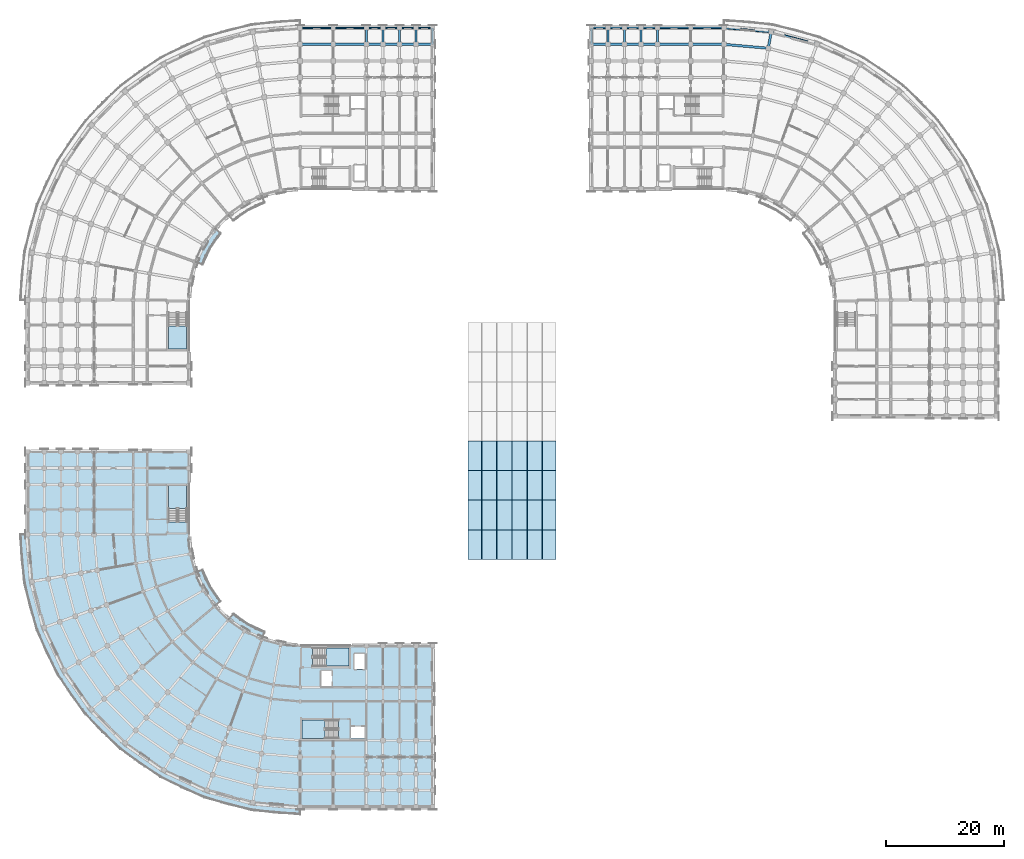
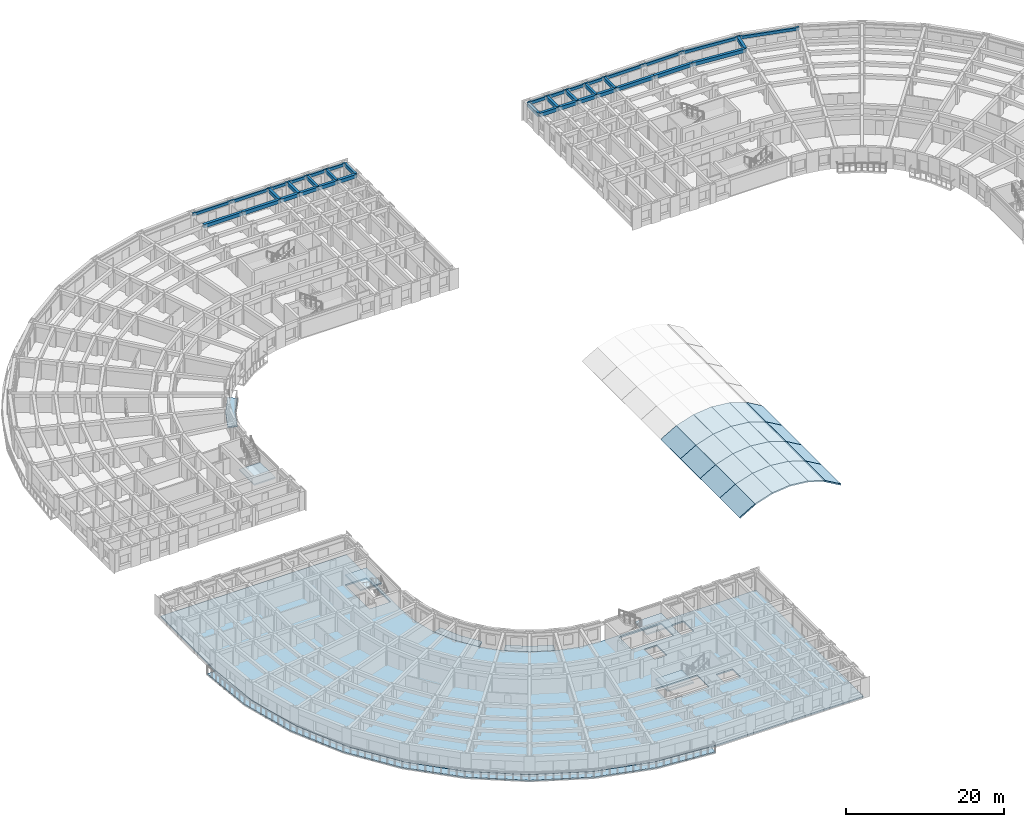
# One storey, part 13 of 54: 38 beams, 33 slabs, 4 elements without a shape of their own.
"""IFC4 building model written with IfcOpenShell, lengths in metres."""

from ifc_helpers import new_model, si_unit, direction, frame, origin, origin_2d, place, context, subcontext, project, spatial, polyline, rectangle, outline, extrude, material, layer, layer_set, material_profile, profile_set, type_object, element, aggregate, save


model = new_model("IFC4")

# Units and contexts
model_context = context("Model", 3, precision=1e-05, world=origin(), true_north=direction((0.0, 1.0)))
body_context = subcontext(model_context, "Body", "Model", "MODEL_VIEW")
ifc_project = project(units=[si_unit("LENGTHUNIT", "METRE"), si_unit("AREAUNIT", "SQUARE_METRE"), si_unit("VOLUMEUNIT", "CUBIC_METRE"), si_unit("PLANEANGLEUNIT", "RADIAN"), si_unit("MASSUNIT", "GRAM", prefix="KILO")], contexts=[model_context])

# Site, building, storey
site_placement = place(None, origin())
site = spatial("IfcSite", under=ifc_project, at=site_placement, CompositionType="ELEMENT")
building_placement = place(site_placement, origin())
building = spatial("IfcBuilding", under=site, at=building_placement, Name="Kiranvali Square Residences", CompositionType="ELEMENT")
storey_placement = place(building_placement, frame((0.0, 0.0, 15.0)))
storey = spatial("IfcBuildingStorey", under=building, at=storey_placement, Name="L04", CompositionType="ELEMENT", Elevation=15.0)

# Beams
ifc_material_1 = material(Name="Concrete M40 (40 MPa)", Category="concrete")
ifc_material_profile_1 = material_profile(ifc_material_1, rectangle(XDim=0.35009765625, YDim=0.550048828125, at=origin_2d()), Name="RC 350x550")
ifc_profile_set_1 = profile_set([ifc_material_profile_1], Name="Concrete M40 (40 MPa)")
beam_type_1 = type_object("IfcBeamType", Name="BM-M40-350x550", PredefinedType="BEAM", material=ifc_profile_set_1)
for number, where, z_axis, x_axis, name in (
    (1, (59.39990234375, 131.0, 2.655029296875), (0.0, 1.0, 0.0), (-1.0, 0.0, 0.0), "L04 beam BM-A-L04-A1T1-67"),
    (2, (62.199951171875, 131.0, 2.655029296875), (0.0, 1.0, 0.0), (-1.0, 0.0, 0.0), "L04 beam BM-A-L04-A1T2-67"),
    (3, (65.0, 131.0, 2.655029296875), (0.0, 1.0, 0.0), (-1.0, 0.0, 0.0), "L04 beam BM-A-L04-A1T3-67"),
    (4, (67.800048828125, 131.0, 2.655029296875), (0.0, 1.0, 0.0), (-1.0, 0.0, 0.0), "L04 beam BM-A-L04-A1T4-67"),
    (5, (70.60009765625, 131.0, 2.655029296875), (0.0, 1.0, 0.0), (-1.0, 0.0, 0.0), "L04 beam BM-A-L04-A1T5-67"),
    (6, (108.60009765625, 131.0, 2.655029296875), (0.0, 1.0, 0.0), (-1.0, 0.0, 0.0), "L04 beam BM-B-L04-A1T1-67"),
    (7, (105.800048828125, 131.0, 2.655029296875), (0.0, 1.0, 0.0), (-1.0, 0.0, 0.0), "L04 beam BM-B-L04-A1T2-67"),
    (8, (103.0, 131.0, 2.655029296875), (0.0, 1.0, 0.0), (-1.0, 0.0, 0.0), "L04 beam BM-B-L04-A1T3-67"),
    (9, (100.199951171875, 131.0, 2.655029296875), (0.0, 1.0, 0.0), (-1.0, 0.0, 0.0), "L04 beam BM-B-L04-A1T4-67"),
    (10, (97.39990234375, 131.0, 2.655029296875), (0.0, 1.0, 0.0), (-1.0, 0.0, 0.0), "L04 beam BM-B-L04-A1T5-67"),
):
    element("IfcBeam", number, at=place(storey_placement, frame(where, z_axis=z_axis, x_axis=x_axis)), inside=storey, type_object=beam_type_1, Name=name, PredefinedType="BEAM", context=body_context, shape_type="SweptSolid", body=[
        extrude(rectangle(XDim=0.35009765625, YDim=0.550048828125, at=origin_2d()), origin(), (0.0, 0.0, 1.0), 2.800048828125),
    ])
ifc_material_2 = material(Name="Concrete M45 (45 MPa)", Category="concrete")
ifc_material_profile_2 = material_profile(ifc_material_2, rectangle(XDim=0.39990234375, YDim=0.550048828125, at=origin_2d()), Name="RC 400x550")
ifc_profile_set_2 = profile_set([ifc_material_profile_2], Name="Concrete M45 (45 MPa)")
beam_type_2 = type_object("IfcBeamType", Name="BM-M45-400x550", PredefinedType="BEAM", material=ifc_profile_set_2)
beam_1_placement = place(storey_placement, frame((48.199951171875, 131.0, 2.655029296875), z_axis=(1.0, 0.0, 0.0), x_axis=(0.0, 1.0, 0.0)))
element("IfcBeam", 11, at=beam_1_placement, inside=storey, type_object=beam_type_2, Name="L04 beam BM-A-L04-A1U0-R6", PredefinedType="BEAM", context=body_context, shape_type="SweptSolid", body=[
    extrude(rectangle(XDim=0.39990234375, YDim=0.550048828125, at=origin_2d()), origin(), (0.0, 0.0, 1.0), 5.60009765625),
])
beam_2_placement = place(storey_placement, frame((53.800048828125, 131.0, 2.655029296875), z_axis=(1.0, 0.0, 0.0), x_axis=(0.0, 1.0, 0.0)))
element("IfcBeam", 12, at=beam_2_placement, inside=storey, type_object=beam_type_2, Name="L04 beam BM-A-L04-A1U1-R6", PredefinedType="BEAM", context=body_context, shape_type="SweptSolid", body=[
    extrude(rectangle(XDim=0.39990234375, YDim=0.550048828125, at=origin_2d()), origin(), (0.0, 0.0, 1.0), 5.599853515625),
])
for number, where, z_axis, x_axis, name in (
    (13, (59.39990234375, 131.0, 2.655029296875), (1.0, 0.0, 0.0), (0.0, 1.0, 0.0), "L04 beam BM-A-L04-A1U2-R6"),
    (14, (62.199951171875, 131.0, 2.655029296875), (1.0, 0.0, 0.0), (0.0, 1.0, 0.0), "L04 beam BM-A-L04-A1U3-R6"),
    (15, (65.0, 131.0, 2.655029296875), (1.0, 0.0, 0.0), (0.0, 1.0, 0.0), "L04 beam BM-A-L04-A1U4-R6"),
    (16, (67.800048828125, 131.0, 2.655029296875), (1.0, 0.0, 0.0), (0.0, 1.0, 0.0), "L04 beam BM-A-L04-A1U5-R6"),
):
    element("IfcBeam", number, at=place(storey_placement, frame(where, z_axis=z_axis, x_axis=x_axis)), inside=storey, type_object=beam_type_2, Name=name, PredefinedType="BEAM", context=body_context, shape_type="SweptSolid", body=[
        extrude(rectangle(XDim=0.39990234375, YDim=0.550048828125, at=origin_2d()), origin(), (0.0, 0.0, 1.0), 2.800048828125),
    ])
beam_3_placement = place(storey_placement, frame((119.800048828125, 131.0, 2.655029296875), z_axis=(0.996195195417, -0.087150058103, 0.0), x_axis=(0.087150058103, 0.996195195417, 0.0)))
element("IfcBeam", 17, at=beam_3_placement, inside=storey, type_object=beam_type_2, Name="L04 beam BM-B-L04-C00-R6", PredefinedType="BEAM", context=body_context, shape_type="SweptSolid", body=[
    extrude(rectangle(XDim=0.39990234375, YDim=0.550048828125, at=origin_2d()), origin(), (0.0, 0.0, 1.0), 7.530029296875),
])
beam_4_placement = place(storey_placement, frame((127.301513671875, 130.34375, 2.655029296875), z_axis=(0.173695795656, 0.984799355489, 0.0), x_axis=(-0.984799355489, 0.173695795656, 0.0)))
element("IfcBeam", 18, at=beam_4_placement, inside=storey, type_object=beam_type_2, Name="L04 beam BM-B-L04-RAD01-67", PredefinedType="BEAM", context=body_context, shape_type="SweptSolid", body=[
    extrude(rectangle(XDim=0.39990234375, YDim=0.550048828125, at=origin_2d()), origin(), (0.0, 0.0, 1.0), 2.7998046875),
])
beam_5_placement = place(storey_placement, frame((119.800048828125, 131.0, 2.655029296875), z_axis=(-1.0, 0.0, 0.0), x_axis=(0.0, -1.0, 0.0)))
element("IfcBeam", 19, at=beam_5_placement, inside=storey, type_object=beam_type_2, Name="L04 beam BM-B-L04-A1U0-R6", PredefinedType="BEAM", context=body_context, shape_type="SweptSolid", body=[
    extrude(rectangle(XDim=0.39990234375, YDim=0.550048828125, at=origin_2d()), origin(), (0.0, 0.0, 1.0), 5.60009765625),
])
beam_6_placement = place(storey_placement, frame((114.199951171875, 131.0, 2.655029296875), z_axis=(-1.0, 0.0, 0.0), x_axis=(0.0, -1.0, 0.0)))
element("IfcBeam", 20, at=beam_6_placement, inside=storey, type_object=beam_type_2, Name="L04 beam BM-B-L04-A1U1-R6", PredefinedType="BEAM", context=body_context, shape_type="SweptSolid", body=[
    extrude(rectangle(XDim=0.39990234375, YDim=0.550048828125, at=origin_2d()), origin(), (0.0, 0.0, 1.0), 5.599853515625),
])
for number, where, z_axis, x_axis, name in (
    (21, (108.60009765625, 131.0, 2.655029296875), (-1.0, 0.0, 0.0), (0.0, -1.0, 0.0), "L04 beam BM-B-L04-A1U2-R6"),
    (22, (105.800048828125, 131.0, 2.655029296875), (-1.0, 0.0, 0.0), (0.0, -1.0, 0.0), "L04 beam BM-B-L04-A1U3-R6"),
    (23, (103.0, 131.0, 2.655029296875), (-1.0, 0.0, 0.0), (0.0, -1.0, 0.0), "L04 beam BM-B-L04-A1U4-R6"),
    (24, (100.199951171875, 131.0, 2.655029296875), (-1.0, 0.0, 0.0), (0.0, -1.0, 0.0), "L04 beam BM-B-L04-A1U5-R6"),
):
    element("IfcBeam", number, at=place(storey_placement, frame(where, z_axis=z_axis, x_axis=x_axis)), inside=storey, type_object=beam_type_2, Name=name, PredefinedType="BEAM", context=body_context, shape_type="SweptSolid", body=[
        extrude(rectangle(XDim=0.39990234375, YDim=0.550048828125, at=origin_2d()), origin(), (0.0, 0.0, 1.0), 2.800048828125),
    ])
ifc_material_profile_3 = material_profile(ifc_material_1, rectangle(XDim=0.25, YDim=0.449951171875, at=origin_2d()), Name="RC 250x450")
ifc_profile_set_3 = profile_set([ifc_material_profile_3], Name="Concrete M40 (40 MPa)")
beam_type_3 = type_object("IfcBeamType", Name="SPN-M40-250x450", PredefinedType="SPANDREL", material=ifc_profile_set_3)
beam_7_placement = place(storey_placement, frame((48.199951171875, 133.800048828125, 2.705078125), z_axis=(1.0, 0.0, 0.0), x_axis=(0.0, 1.0, 0.0)))
element("IfcBeam", 25, at=beam_7_placement, inside=storey, type_object=beam_type_3, Name="L04 beam BM-A-L04-A1U0-R7", PredefinedType="SPANDREL", context=body_context, shape_type="SweptSolid", body=[
    extrude(rectangle(XDim=0.25, YDim=0.449951171875, at=origin_2d()), origin(), (0.0, 0.0, 1.0), 5.60009765625),
])
beam_8_placement = place(storey_placement, frame((53.800048828125, 133.800048828125, 2.705078125), z_axis=(1.0, 0.0, 0.0), x_axis=(0.0, 1.0, 0.0)))
element("IfcBeam", 26, at=beam_8_placement, inside=storey, type_object=beam_type_3, Name="L04 beam BM-A-L04-A1U1-R7", PredefinedType="SPANDREL", context=body_context, shape_type="SweptSolid", body=[
    extrude(rectangle(XDim=0.25, YDim=0.449951171875, at=origin_2d()), origin(), (0.0, 0.0, 1.0), 5.599853515625),
])
for number, where, z_axis, x_axis, name in (
    (27, (59.39990234375, 133.800048828125, 2.705078125), (1.0, 0.0, 0.0), (0.0, 1.0, 0.0), "L04 beam BM-A-L04-A1U2-R7"),
    (28, (62.199951171875, 133.800048828125, 2.705078125), (1.0, 0.0, 0.0), (0.0, 1.0, 0.0), "L04 beam BM-A-L04-A1U3-R7"),
    (29, (65.0, 133.800048828125, 2.705078125), (1.0, 0.0, 0.0), (0.0, 1.0, 0.0), "L04 beam BM-A-L04-A1U4-R7"),
    (30, (67.800048828125, 133.800048828125, 2.705078125), (1.0, 0.0, 0.0), (0.0, 1.0, 0.0), "L04 beam BM-A-L04-A1U5-R7"),
):
    element("IfcBeam", number, at=place(storey_placement, frame(where, z_axis=z_axis, x_axis=x_axis)), inside=storey, type_object=beam_type_3, Name=name, PredefinedType="SPANDREL", context=body_context, shape_type="SweptSolid", body=[
        extrude(rectangle(XDim=0.25, YDim=0.449951171875, at=origin_2d()), origin(), (0.0, 0.0, 1.0), 2.800048828125),
    ])
beam_9_placement = place(storey_placement, frame((119.800048828125, 133.800048828125, 2.705078125), z_axis=(-1.0, 0.0, 0.0), x_axis=(0.0, -1.0, 0.0)))
element("IfcBeam", 31, at=beam_9_placement, inside=storey, type_object=beam_type_3, Name="L04 beam BM-B-L04-A1U0-R7", PredefinedType="SPANDREL", context=body_context, shape_type="SweptSolid", body=[
    extrude(rectangle(XDim=0.25, YDim=0.449951171875, at=origin_2d()), origin(), (0.0, 0.0, 1.0), 5.60009765625),
])
beam_10_placement = place(storey_placement, frame((114.199951171875, 133.800048828125, 2.705078125), z_axis=(-1.0, 0.0, 0.0), x_axis=(0.0, -1.0, 0.0)))
element("IfcBeam", 32, at=beam_10_placement, inside=storey, type_object=beam_type_3, Name="L04 beam BM-B-L04-A1U1-R7", PredefinedType="SPANDREL", context=body_context, shape_type="SweptSolid", body=[
    extrude(rectangle(XDim=0.25, YDim=0.449951171875, at=origin_2d()), origin(), (0.0, 0.0, 1.0), 5.599853515625),
])
for number, where, z_axis, x_axis, name in (
    (33, (108.60009765625, 133.800048828125, 2.705078125), (-1.0, 0.0, 0.0), (0.0, -1.0, 0.0), "L04 beam BM-B-L04-A1U2-R7"),
    (34, (105.800048828125, 133.800048828125, 2.705078125), (-1.0, 0.0, 0.0), (0.0, -1.0, 0.0), "L04 beam BM-B-L04-A1U3-R7"),
    (35, (103.0, 133.800048828125, 2.705078125), (-1.0, 0.0, 0.0), (0.0, -1.0, 0.0), "L04 beam BM-B-L04-A1U4-R7"),
    (36, (100.199951171875, 133.800048828125, 2.705078125), (-1.0, 0.0, 0.0), (0.0, -1.0, 0.0), "L04 beam BM-B-L04-A1U5-R7"),
):
    element("IfcBeam", number, at=place(storey_placement, frame(where, z_axis=z_axis, x_axis=x_axis)), inside=storey, type_object=beam_type_3, Name=name, PredefinedType="SPANDREL", context=body_context, shape_type="SweptSolid", body=[
        extrude(rectangle(XDim=0.25, YDim=0.449951171875, at=origin_2d()), origin(), (0.0, 0.0, 1.0), 2.800048828125),
    ])
ifc_material_profile_4 = material_profile(ifc_material_1, rectangle(XDim=0.300048828125, YDim=0.449951171875, at=origin_2d()), Name="RC 300x450")
ifc_profile_set_4 = profile_set([ifc_material_profile_4], Name="Concrete M40 (40 MPa)")
beam_type_4 = type_object("IfcBeamType", Name="SPN-M40-300x450", PredefinedType="SPANDREL", material=ifc_profile_set_4)
for number, where, z_axis, x_axis, name in (
    (37, (119.800048828125, 133.800048828125, 2.705078125), (0.996193254792, -0.087172238171, 0.0), (0.087172238171, 0.996193254792, 0.0), "L04 beam BM-B-L04-C00-R7"),
    (38, (127.787841796875, 133.10107421875, 2.705078125), (0.96592902462, -0.258807108475, 0.0), (0.258807108475, 0.96592902462, 0.0), "L04 beam BM-B-L04-C01-R7"),
):
    element("IfcBeam", number, at=place(storey_placement, frame(where, z_axis=z_axis, x_axis=x_axis)), inside=storey, type_object=beam_type_4, Name=name, PredefinedType="SPANDREL", context=body_context, shape_type="SweptSolid", body=[
        extrude(rectangle(XDim=0.300048828125, YDim=0.449951171875, at=origin_2d()), origin(), (0.0, 0.0, 1.0), 8.018310546875),
    ])

# Slabs
ifc_material_3 = material(Name="Concrete M35 (35 MPa)", Category="concrete")
ifc_layer_1 = layer(ifc_material_3, 0.179931640625)
ifc_layer_set_1 = layer_set([ifc_layer_1], Name="Concrete M35 (35 MPa)")
slab_type_1 = type_object("IfcSlabType", Name="SLB-BAL-180", PredefinedType="FLOOR", material=ifc_layer_set_1)
slab_1_placement = place(storey_placement, frame((0.0, 0.0, -0.179931640625)))
element("IfcSlab", 39, at=slab_1_placement, inside=storey, type_object=slab_type_1, Name="Block C L04 continuous curved corner balcony slab", PredefinedType="FLOOR", context=body_context, shape_type="SweptSolid", body=[
    extrude(outline(polyline([(48.199951171875, 2.199951171875), (40.212158203125, 2.89892578125), (32.467041015625, 4.97412109375), (25.199951171875, 8.36279296875), (18.6318359375, 12.9619140625), (12.9619140625, 18.6318359375), (8.36279296875, 25.199951171875), (4.97412109375, 32.467041015625), (2.89892578125, 40.212158203125), (2.199951171875, 48.199951171875), (0.949951171875, 48.199951171875), (1.667724609375, 39.9951171875), (3.799560546875, 32.03955078125), (7.2802734375, 24.574951171875), (12.00439453125, 17.828369140625), (17.828369140625, 12.00439453125), (24.574951171875, 7.2802734375), (32.03955078125, 3.799560546875), (39.9951171875, 1.667724609375), (48.199951171875, 0.949951171875), (48.199951171875, 2.199951171875)])), origin(), (0.0, 0.0, 1.0), 0.179931640625),
])
ifc_layer_2 = layer(ifc_material_3, 0.219970703125)
ifc_layer_set_2 = layer_set([ifc_layer_2], Name="Concrete M35 (35 MPa)")
slab_type_2 = type_object("IfcSlabType", Name="SLB-FLR-220", PredefinedType="FLOOR", material=ifc_layer_set_2)
slab_2_placement = place(storey_placement, frame((0.0, 0.0, -0.219970703125)))
element("IfcSlab", 40, at=slab_2_placement, inside=storey, type_object=slab_type_2, Name="Block C L04 structural floor slab", PredefinedType="FLOOR", context=body_context, shape_type="SweptSolid", body=[
    extrude(outline(polyline([(48.199951171875, 29.39990234375), (44.935302734375, 29.685546875), (41.77001953125, 30.53369140625), (38.800048828125, 31.918701171875), (36.115478515625, 33.79833984375), (33.79833984375, 36.115478515625), (31.918701171875, 38.800048828125), (30.53369140625, 41.77001953125), (29.685546875, 44.935302734375), (29.39990234375, 48.199951171875), (29.39990234375, 62.199951171875), (2.199951171875, 62.199951171875), (2.199951171875, 48.199951171875), (2.89892578125, 40.212158203125), (4.97412109375, 32.467041015625), (8.36279296875, 25.199951171875), (12.9619140625, 18.6318359375), (18.6318359375, 12.9619140625), (25.199951171875, 8.36279296875), (32.467041015625, 4.97412109375), (40.212158203125, 2.89892578125), (48.199951171875, 2.199951171875), (70.60009765625, 2.199951171875), (70.60009765625, 29.39990234375), (48.199951171875, 29.39990234375)]), holes=[polyline([(56.800048828125, 13.75), (59.25, 13.75), (59.25, 15.75), (56.800048828125, 15.75), (56.800048828125, 13.75)]), polyline([(57.35009765625, 25.449951171875), (59.14990234375, 25.449951171875), (59.14990234375, 28.050048828125), (57.35009765625, 28.050048828125), (57.35009765625, 25.449951171875)]), polyline([(51.75, 22.550048828125), (53.550048828125, 22.550048828125), (53.550048828125, 25.14990234375), (51.75, 25.14990234375), (51.75, 22.550048828125)]), polyline([(54.699951171875, 16.85009765625), (48.550048828125, 16.85009765625), (48.550048828125, 13.75), (54.699951171875, 13.75), (54.699951171875, 16.85009765625)]), polyline([(50.300048828125, 25.949951171875), (56.449951171875, 25.949951171875), (56.449951171875, 29.050048828125), (50.300048828125, 29.050048828125), (50.300048828125, 25.949951171875)]), polyline([(29.050048828125, 50.300048828125), (29.050048828125, 56.449951171875), (25.949951171875, 56.449951171875), (25.949951171875, 50.300048828125), (29.050048828125, 50.300048828125)])]), origin(), (0.0, 0.0, 1.0), 0.219970703125),
])
ifc_layer_3 = layer(ifc_material_3, 0.169921875)
ifc_layer_set_3 = layer_set([ifc_layer_3], Name="Concrete M35 (35 MPa)")
slab_type_3 = type_object("IfcSlabType", Name="SLB-GBAL-170", PredefinedType="FLOOR", material=ifc_layer_set_3)
slab_3_placement = place(storey_placement, frame((0.0, 0.0, -0.179931640625)))
element("IfcSlab", 41, at=slab_3_placement, inside=storey, type_object=slab_type_3, Name="Block A L04 garden balcony slab 2", PredefinedType="FLOOR", context=body_context, shape_type="SweptSolid", body=[
    extrude(outline(polyline([(33.79833984375, 99.884521484375), (31.918701171875, 97.199951171875), (30.53369140625, 94.22998046875), (31.70849609375, 93.802490234375), (33.001220703125, 96.574951171875), (34.755859375, 99.080810546875), (33.79833984375, 99.884521484375)])), origin(), (0.0, 0.0, 1.0), 0.179931640625),
])
slab_4_placement = place(storey_placement, frame((0.0, 0.0, -0.179931640625)))
element("IfcSlab", 42, at=slab_4_placement, inside=storey, type_object=slab_type_3, Name="Block C L04 garden balcony slab 1", PredefinedType="FLOOR", context=body_context, shape_type="SweptSolid", body=[
    extrude(outline(polyline([(42.197509765625, 31.70849609375), (39.425048828125, 33.001220703125), (36.919189453125, 34.755859375), (36.115478515625, 33.79833984375), (38.800048828125, 31.918701171875), (41.77001953125, 30.53369140625), (42.197509765625, 31.70849609375)])), origin(), (0.0, 0.0, 1.0), 0.179931640625),
])
slab_5_placement = place(storey_placement, frame((0.0, 0.0, -0.179931640625)))
element("IfcSlab", 43, at=slab_5_placement, inside=storey, type_object=slab_type_3, Name="Block C L04 garden balcony slab 2", PredefinedType="FLOOR", context=body_context, shape_type="SweptSolid", body=[
    extrude(outline(polyline([(34.755859375, 36.919189453125), (33.001220703125, 39.425048828125), (31.70849609375, 42.197509765625), (30.53369140625, 41.77001953125), (31.918701171875, 38.800048828125), (33.79833984375, 36.115478515625), (34.755859375, 36.919189453125)])), origin(), (0.0, 0.0, 1.0), 0.179931640625),
])

# Stair, slab
stair_type = type_object("IfcStairType", Name="ST-CORE-1700", PredefinedType="HALF_TURN_STAIR", material=ifc_material_3)
stair_1_placement = place(storey_placement, origin())
stair_1 = element("IfcStair", 44, at=stair_1_placement, inside=storey, type_object=stair_type, Name="L04 Block A Wing Protected Exit Stair 3", PredefinedType="HALF_TURN_STAIR")
ifc_layer_4 = layer(ifc_material_3, 0.199951171875)
ifc_layer_set_4 = layer_set([ifc_layer_4], Name="Concrete M35 (35 MPa)")
slab_type_4 = type_object("IfcSlabType", Name="SLB-LND-200", PredefinedType="LANDING", material=ifc_layer_set_4)
slab_6_placement = place(storey_placement, frame((0.0, 0.0, 1.375)))
slab_6 = element("IfcSlab", 45, at=slab_6_placement, type_object=slab_type_4, Name="ST-A3 landing 1", PredefinedType="LANDING", context=body_context, shape_type="SweptSolid", body=[
    extrude(outline(polyline([(25.949951171875, 83.419921875), (25.949951171875, 79.550048828125), (29.050048828125, 79.550048828125), (29.050048828125, 83.419921875), (25.949951171875, 83.419921875)])), origin(), (0.0, 0.0, 1.0), 0.199951171875),
])
aggregate(stair_1, [slab_6])

stair_2_placement = place(storey_placement, origin())
stair_2 = element("IfcStair", 46, at=stair_2_placement, inside=storey, type_object=stair_type, Name="L04 Block C Firefighting Exit Stair 1", PredefinedType="HALF_TURN_STAIR")
slab_7_placement = place(storey_placement, frame((0.0, 0.0, 1.375)))
slab_7 = element("IfcSlab", 47, at=slab_7_placement, type_object=slab_type_4, Name="ST-C1 landing 1", PredefinedType="LANDING", context=body_context, shape_type="SweptSolid", body=[
    extrude(outline(polyline([(52.419921875, 16.85009765625), (48.550048828125, 16.85009765625), (48.550048828125, 13.75), (52.419921875, 13.75), (52.419921875, 16.85009765625)])), origin(), (0.0, 0.0, 1.0), 0.199951171875),
])
aggregate(stair_2, [slab_7])

stair_3_placement = place(storey_placement, origin())
stair_3 = element("IfcStair", 48, at=stair_3_placement, inside=storey, type_object=stair_type, Name="L04 Block C Protected Exit Stair 2", PredefinedType="HALF_TURN_STAIR")
slab_8_placement = place(storey_placement, frame((0.0, 0.0, 1.375)))
slab_8 = element("IfcSlab", 49, at=slab_8_placement, type_object=slab_type_4, Name="ST-C2 landing 1", PredefinedType="LANDING", context=body_context, shape_type="SweptSolid", body=[
    extrude(outline(polyline([(52.580078125, 25.949951171875), (56.449951171875, 25.949951171875), (56.449951171875, 29.050048828125), (52.580078125, 29.050048828125), (52.580078125, 25.949951171875)])), origin(), (0.0, 0.0, 1.0), 0.199951171875),
])
aggregate(stair_3, [slab_8])

stair_4_placement = place(storey_placement, origin())
stair_4 = element("IfcStair", 50, at=stair_4_placement, inside=storey, type_object=stair_type, Name="L04 Block C Wing Protected Exit Stair 3", PredefinedType="HALF_TURN_STAIR")
slab_9_placement = place(storey_placement, frame((0.0, 0.0, 1.375)))
slab_9 = element("IfcSlab", 51, at=slab_9_placement, type_object=slab_type_4, Name="ST-C3 landing 1", PredefinedType="LANDING", context=body_context, shape_type="SweptSolid", body=[
    extrude(outline(polyline([(29.050048828125, 52.580078125), (29.050048828125, 56.449951171875), (25.949951171875, 56.449951171875), (25.949951171875, 52.580078125), (29.050048828125, 52.580078125)])), origin(), (0.0, 0.0, 1.0), 0.199951171875),
])
aggregate(stair_4, [slab_9])

# Slabs
ifc_layer_5 = layer(ifc_material_2, 0.199951171875)
ifc_layer_set_5 = layer_set([ifc_layer_5], Name="Concrete M45 (45 MPa)")
slab_type_5 = type_object("IfcSlabType", Name="SLB-VLT-200", PredefinedType="ROOF", material=ifc_layer_set_5)
slab_10_placement = place(storey_placement, frame((76.56298828125, 44.0, 0.266357421875), z_axis=(-0.503112071753, 0.0, 0.864221177278), x_axis=(0.864221177278, 0.0, 0.503112071753)))
element("IfcSlab", 52, at=slab_10_placement, inside=storey, type_object=slab_type_5, Name="Community Hall barrel-vault shell strip 1.4", PredefinedType="ROOF", context=body_context, shape_type="SweptSolid", body=[
    extrude(outline(polyline([(0.0, 0.0), (2.6407899071479464, 0.0), (2.6407899071479464, 5.0), (0.0, 5.0), (0.0, 0.0)])), origin(), (0.0, 0.0, -1.0), 0.199951171875),
])
slab_11_placement = place(storey_placement, frame((78.852294921875, 44.0, 1.598388671875), z_axis=(-0.311092199695, 0.0, 0.950379736363), x_axis=(0.950379736363, 0.0, 0.311092199695)))
element("IfcSlab", 53, at=slab_11_placement, inside=storey, type_object=slab_type_5, Name="Community Hall barrel-vault shell strip 1.5", PredefinedType="ROOF", context=body_context, shape_type="SweptSolid", body=[
    extrude(outline(polyline([(0.0, 0.0), (2.640802964302423, 0.0), (2.640802964302423, 5.0), (0.0, 5.0), (0.0, 0.0)])), origin(), (0.0, 0.0, -1.0), 0.199951171875),
])
for number, where, z_axis, x_axis, name in (
    (54, (81.369873046875, 44.0, 2.421630859375), (-0.105204498733, 0.0, 0.994450608852), (0.994450608852, 0.0, 0.105204498733), "Community Hall barrel-vault shell strip 1.6"),
    (55, (84.00390625, 44.0, 2.699462890625), (0.105204498733, 0.0, 0.994450608852), (0.994450608852, 0.0, -0.105204498733), "Community Hall barrel-vault shell strip 1.7"),
):
    element("IfcSlab", number, at=place(storey_placement, frame(where, z_axis=z_axis, x_axis=x_axis)), inside=storey, type_object=slab_type_5, Name=name, PredefinedType="ROOF", context=body_context, shape_type="SweptSolid", body=[
        extrude(outline(polyline([(0.0, 0.0), (2.640875956782308, 0.0), (2.640875956782308, 5.0), (0.0, 5.0), (0.0, 0.0)])), origin(), (0.0, 0.0, -1.0), 0.199951171875),
    ])
slab_12_placement = place(storey_placement, frame((86.637939453125, 44.0, 2.419921875), z_axis=(0.311092199695, 0.0, 0.950379736363), x_axis=(0.950379736363, 0.0, -0.311092199695)))
element("IfcSlab", 56, at=slab_12_placement, inside=storey, type_object=slab_type_5, Name="Community Hall barrel-vault shell strip 1.8", PredefinedType="ROOF", context=body_context, shape_type="SweptSolid", body=[
    extrude(outline(polyline([(0.0, 0.0), (2.640802964302423, 0.0), (2.640802964302423, 5.0), (0.0, 5.0), (0.0, 0.0)])), origin(), (0.0, 0.0, -1.0), 0.199951171875),
])
for number, where, z_axis, x_axis, name in (
    (57, (89.15478515625, 44.0, 1.594970703125), (0.503112071753, 0.0, 0.864221177278), (0.864221177278, 0.0, -0.503112071753), "Community Hall barrel-vault shell strip 1.9"),
    (58, (76.56298828125, 49.0, 0.266357421875), (-0.503112071753, 0.0, 0.864221177278), (0.864221177278, 0.0, 0.503112071753), "Community Hall barrel-vault shell strip 2.4"),
):
    element("IfcSlab", number, at=place(storey_placement, frame(where, z_axis=z_axis, x_axis=x_axis)), inside=storey, type_object=slab_type_5, Name=name, PredefinedType="ROOF", context=body_context, shape_type="SweptSolid", body=[
        extrude(outline(polyline([(0.0, 0.0), (2.6407899071479464, 0.0), (2.6407899071479464, 5.0), (0.0, 5.0), (0.0, 0.0)])), origin(), (0.0, 0.0, -1.0), 0.199951171875),
    ])
slab_13_placement = place(storey_placement, frame((78.852294921875, 49.0, 1.598388671875), z_axis=(-0.311092199695, 0.0, 0.950379736363), x_axis=(0.950379736363, 0.0, 0.311092199695)))
element("IfcSlab", 59, at=slab_13_placement, inside=storey, type_object=slab_type_5, Name="Community Hall barrel-vault shell strip 2.5", PredefinedType="ROOF", context=body_context, shape_type="SweptSolid", body=[
    extrude(outline(polyline([(0.0, 0.0), (2.640802964302423, 0.0), (2.640802964302423, 5.0), (0.0, 5.0), (0.0, 0.0)])), origin(), (0.0, 0.0, -1.0), 0.199951171875),
])
for number, where, z_axis, x_axis, name in (
    (60, (81.369873046875, 49.0, 2.421630859375), (-0.105204498733, 0.0, 0.994450608852), (0.994450608852, 0.0, 0.105204498733), "Community Hall barrel-vault shell strip 2.6"),
    (61, (84.00390625, 49.0, 2.699462890625), (0.105204498733, 0.0, 0.994450608852), (0.994450608852, 0.0, -0.105204498733), "Community Hall barrel-vault shell strip 2.7"),
):
    element("IfcSlab", number, at=place(storey_placement, frame(where, z_axis=z_axis, x_axis=x_axis)), inside=storey, type_object=slab_type_5, Name=name, PredefinedType="ROOF", context=body_context, shape_type="SweptSolid", body=[
        extrude(outline(polyline([(0.0, 0.0), (2.640875956782308, 0.0), (2.640875956782308, 5.0), (0.0, 5.0), (0.0, 0.0)])), origin(), (0.0, 0.0, -1.0), 0.199951171875),
    ])
slab_14_placement = place(storey_placement, frame((86.637939453125, 49.0, 2.419921875), z_axis=(0.311092199695, 0.0, 0.950379736363), x_axis=(0.950379736363, 0.0, -0.311092199695)))
element("IfcSlab", 62, at=slab_14_placement, inside=storey, type_object=slab_type_5, Name="Community Hall barrel-vault shell strip 2.8", PredefinedType="ROOF", context=body_context, shape_type="SweptSolid", body=[
    extrude(outline(polyline([(0.0, 0.0), (2.640802964302423, 0.0), (2.640802964302423, 5.0), (0.0, 5.0), (0.0, 0.0)])), origin(), (0.0, 0.0, -1.0), 0.199951171875),
])
for number, where, z_axis, x_axis, name in (
    (63, (89.15478515625, 49.0, 1.594970703125), (0.503112071753, 0.0, 0.864221177278), (0.864221177278, 0.0, -0.503112071753), "Community Hall barrel-vault shell strip 2.9"),
    (64, (76.56298828125, 54.0, 0.266357421875), (-0.503112071753, 0.0, 0.864221177278), (0.864221177278, 0.0, 0.503112071753), "Community Hall barrel-vault shell strip 3.4"),
):
    element("IfcSlab", number, at=place(storey_placement, frame(where, z_axis=z_axis, x_axis=x_axis)), inside=storey, type_object=slab_type_5, Name=name, PredefinedType="ROOF", context=body_context, shape_type="SweptSolid", body=[
        extrude(outline(polyline([(0.0, 0.0), (2.6407899071479464, 0.0), (2.6407899071479464, 5.0), (0.0, 5.0), (0.0, 0.0)])), origin(), (0.0, 0.0, -1.0), 0.199951171875),
    ])
slab_15_placement = place(storey_placement, frame((78.852294921875, 54.0, 1.598388671875), z_axis=(-0.311092199695, 0.0, 0.950379736363), x_axis=(0.950379736363, 0.0, 0.311092199695)))
element("IfcSlab", 65, at=slab_15_placement, inside=storey, type_object=slab_type_5, Name="Community Hall barrel-vault shell strip 3.5", PredefinedType="ROOF", context=body_context, shape_type="SweptSolid", body=[
    extrude(outline(polyline([(0.0, 0.0), (2.640802964302423, 0.0), (2.640802964302423, 5.0), (0.0, 5.0), (0.0, 0.0)])), origin(), (0.0, 0.0, -1.0), 0.199951171875),
])
for number, where, z_axis, x_axis, name in (
    (66, (81.369873046875, 54.0, 2.421630859375), (-0.105204498733, 0.0, 0.994450608852), (0.994450608852, 0.0, 0.105204498733), "Community Hall barrel-vault shell strip 3.6"),
    (67, (84.00390625, 54.0, 2.699462890625), (0.105204498733, 0.0, 0.994450608852), (0.994450608852, 0.0, -0.105204498733), "Community Hall barrel-vault shell strip 3.7"),
):
    element("IfcSlab", number, at=place(storey_placement, frame(where, z_axis=z_axis, x_axis=x_axis)), inside=storey, type_object=slab_type_5, Name=name, PredefinedType="ROOF", context=body_context, shape_type="SweptSolid", body=[
        extrude(outline(polyline([(0.0, 0.0), (2.640875956782308, 0.0), (2.640875956782308, 5.0), (0.0, 5.0), (0.0, 0.0)])), origin(), (0.0, 0.0, -1.0), 0.199951171875),
    ])
slab_16_placement = place(storey_placement, frame((86.637939453125, 54.0, 2.419921875), z_axis=(0.311092199695, 0.0, 0.950379736363), x_axis=(0.950379736363, 0.0, -0.311092199695)))
element("IfcSlab", 68, at=slab_16_placement, inside=storey, type_object=slab_type_5, Name="Community Hall barrel-vault shell strip 3.8", PredefinedType="ROOF", context=body_context, shape_type="SweptSolid", body=[
    extrude(outline(polyline([(0.0, 0.0), (2.640802964302423, 0.0), (2.640802964302423, 5.0), (0.0, 5.0), (0.0, 0.0)])), origin(), (0.0, 0.0, -1.0), 0.199951171875),
])
for number, where, z_axis, x_axis, name in (
    (69, (89.15478515625, 54.0, 1.594970703125), (0.503112071753, 0.0, 0.864221177278), (0.864221177278, 0.0, -0.503112071753), "Community Hall barrel-vault shell strip 3.9"),
    (70, (76.56298828125, 59.0, 0.266357421875), (-0.503112071753, 0.0, 0.864221177278), (0.864221177278, 0.0, 0.503112071753), "Community Hall barrel-vault shell strip 4.4"),
):
    element("IfcSlab", number, at=place(storey_placement, frame(where, z_axis=z_axis, x_axis=x_axis)), inside=storey, type_object=slab_type_5, Name=name, PredefinedType="ROOF", context=body_context, shape_type="SweptSolid", body=[
        extrude(outline(polyline([(0.0, 0.0), (2.6407899071479464, 0.0), (2.6407899071479464, 5.0), (0.0, 5.0), (0.0, 0.0)])), origin(), (0.0, 0.0, -1.0), 0.199951171875),
    ])
slab_17_placement = place(storey_placement, frame((78.852294921875, 59.0, 1.598388671875), z_axis=(-0.311092199695, 0.0, 0.950379736363), x_axis=(0.950379736363, 0.0, 0.311092199695)))
element("IfcSlab", 71, at=slab_17_placement, inside=storey, type_object=slab_type_5, Name="Community Hall barrel-vault shell strip 4.5", PredefinedType="ROOF", context=body_context, shape_type="SweptSolid", body=[
    extrude(outline(polyline([(0.0, 0.0), (2.640802964302423, 0.0), (2.640802964302423, 5.0), (0.0, 5.0), (0.0, 0.0)])), origin(), (0.0, 0.0, -1.0), 0.199951171875),
])
for number, where, z_axis, x_axis, name in (
    (72, (81.369873046875, 59.0, 2.421630859375), (-0.105204498733, 0.0, 0.994450608852), (0.994450608852, 0.0, 0.105204498733), "Community Hall barrel-vault shell strip 4.6"),
    (73, (84.00390625, 59.0, 2.699462890625), (0.105204498733, 0.0, 0.994450608852), (0.994450608852, 0.0, -0.105204498733), "Community Hall barrel-vault shell strip 4.7"),
):
    element("IfcSlab", number, at=place(storey_placement, frame(where, z_axis=z_axis, x_axis=x_axis)), inside=storey, type_object=slab_type_5, Name=name, PredefinedType="ROOF", context=body_context, shape_type="SweptSolid", body=[
        extrude(outline(polyline([(0.0, 0.0), (2.640875956782308, 0.0), (2.640875956782308, 5.0), (0.0, 5.0), (0.0, 0.0)])), origin(), (0.0, 0.0, -1.0), 0.199951171875),
    ])
slab_18_placement = place(storey_placement, frame((86.637939453125, 59.0, 2.419921875), z_axis=(0.311092199695, 0.0, 0.950379736363), x_axis=(0.950379736363, 0.0, -0.311092199695)))
element("IfcSlab", 74, at=slab_18_placement, inside=storey, type_object=slab_type_5, Name="Community Hall barrel-vault shell strip 4.8", PredefinedType="ROOF", context=body_context, shape_type="SweptSolid", body=[
    extrude(outline(polyline([(0.0, 0.0), (2.640802964302423, 0.0), (2.640802964302423, 5.0), (0.0, 5.0), (0.0, 0.0)])), origin(), (0.0, 0.0, -1.0), 0.199951171875),
])
slab_19_placement = place(storey_placement, frame((89.15478515625, 59.0, 1.594970703125), z_axis=(0.503112071753, 0.0, 0.864221177278), x_axis=(0.864221177278, 0.0, -0.503112071753)))
element("IfcSlab", 75, at=slab_19_placement, inside=storey, type_object=slab_type_5, Name="Community Hall barrel-vault shell strip 4.9", PredefinedType="ROOF", context=body_context, shape_type="SweptSolid", body=[
    extrude(outline(polyline([(0.0, 0.0), (2.6407899071479464, 0.0), (2.6407899071479464, 5.0), (0.0, 5.0), (0.0, 0.0)])), origin(), (0.0, 0.0, -1.0), 0.199951171875),
])

save(model, "model.ifc")
